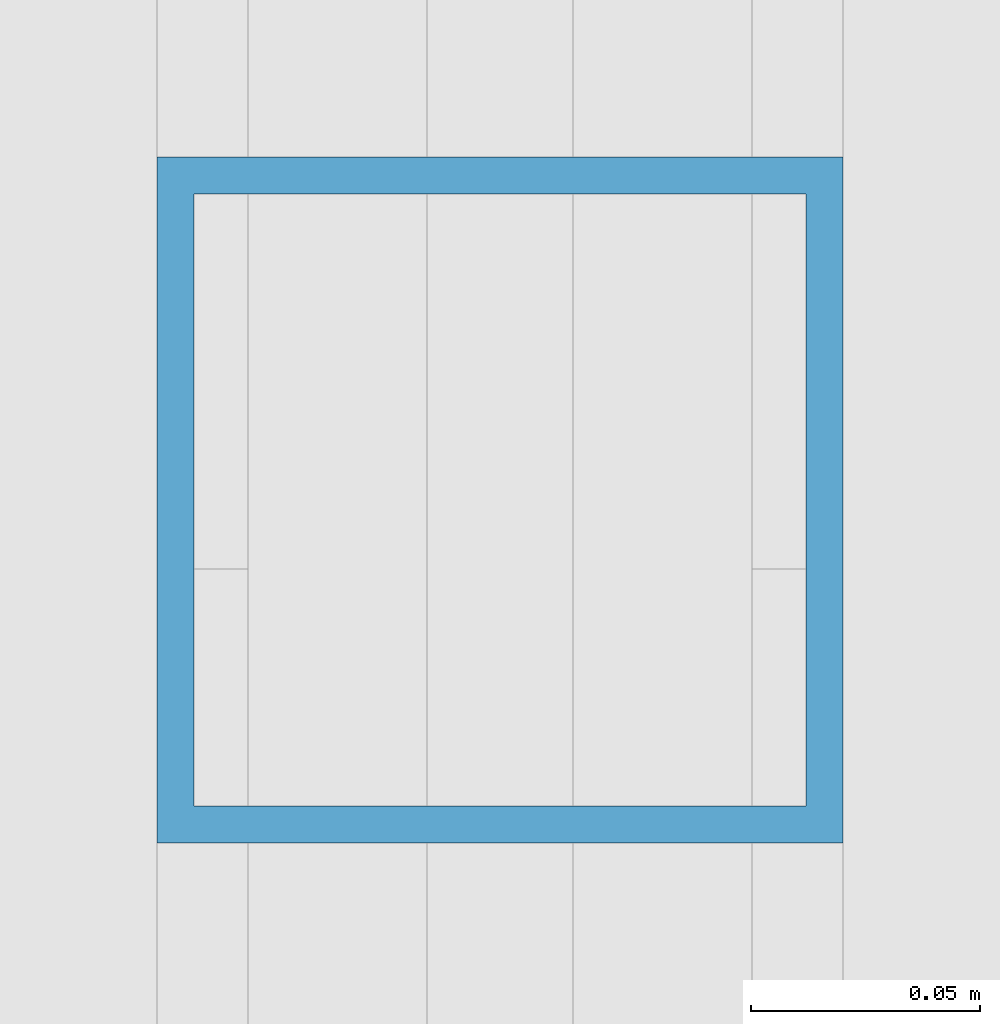
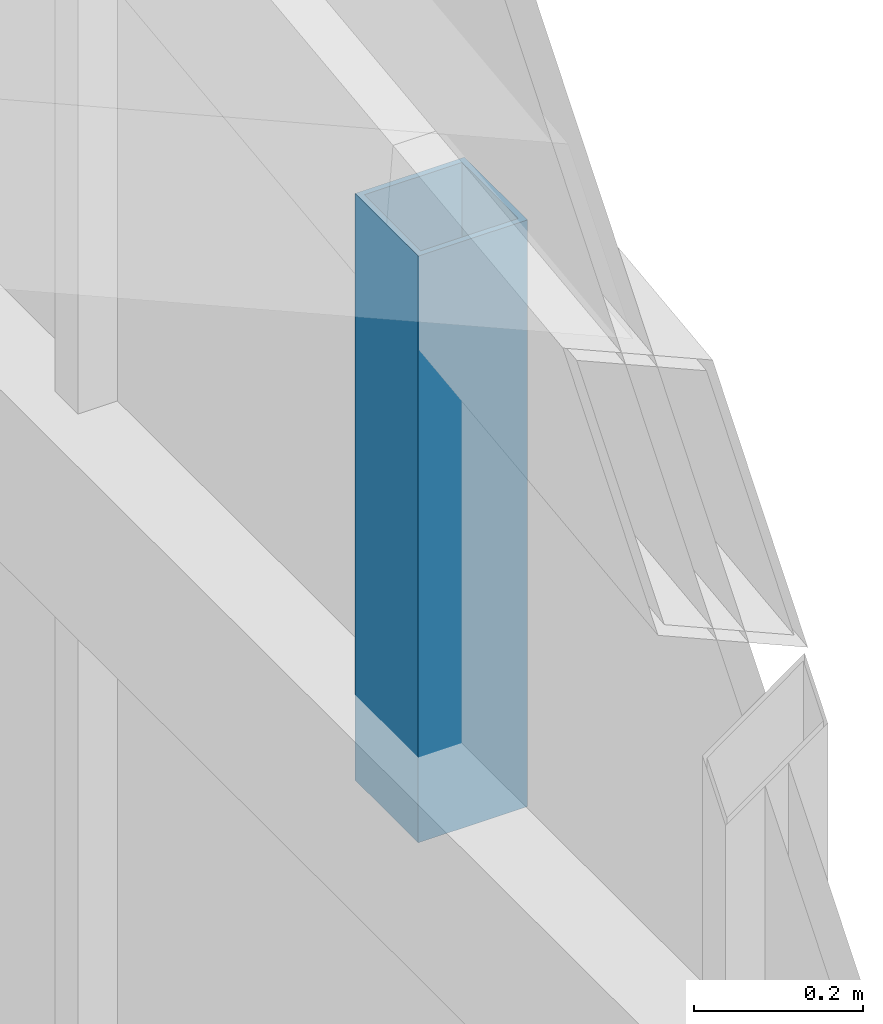
# One storey, part 83 of 104: 1 member.
"""IFC4 building model written with IfcOpenShell, lengths in metres."""

import ifcopenshell
import ifcopenshell.guid

model = None  # the IFC model being written
_history = None  # IfcOwnerHistory: only IFC2X3 demands one
_inside = {}  # id of a spatial element -> (the spatial element, [elements in it])
_under = {}  # id of a project, library or spatial element -> (it, [spatial elements below it])
_declared = {}  # id of a project -> (the project, [libraries it declares])
_typed = {}  # id of a type object -> (the type object, [elements of that type])
_made_of = {}  # id of a material, layer set ... -> (it, [elements and type objects made of it])


def new_model(schema):
    """Start an empty IFC model of exactly this schema.

    Asked for "IFC4X3", IfcOpenShell would pick the latest addendum, in which some entities
    have other attributes; the version numbers below select the first issue.
    IFC2X3 requires an IfcOwnerHistory on every rooted entity: one is made here for all.
    """
    global model, _history
    if schema == "IFC4X3":
        model = ifcopenshell.file(schema_version=(4, 3, 0, 0))
    else:
        model = ifcopenshell.file(schema=schema)
    _inside.clear()
    _under.clear()
    _declared.clear()
    _typed.clear()
    _made_of.clear()
    _history = None
    if model.schema == "IFC2X3":
        org = make("IfcOrganization", Name="unknown")
        user = make(
            "IfcPersonAndOrganization",
            ThePerson=make("IfcPerson", FamilyName="unknown"),
            TheOrganization=org,
        )
        app = make(
            "IfcApplication",
            ApplicationDeveloper=org,
            Version="unknown",
            ApplicationFullName="unknown",
            ApplicationIdentifier="unknown",
        )
        _history = make(
            "IfcOwnerHistory",
            OwningUser=user,
            OwningApplication=app,
            ChangeAction="ADDED",
            CreationDate=0,
        )
    return model


def make(cls, **values):
    """One entity of the class cls with the attributes given. An attribute that is None is left unset."""
    return model.create_entity(
        cls, **{name: value for name, value in values.items() if value is not None}
    )


def rooted(cls, **values):
    """An entity with a GlobalId (a new one), such as an element, a storey or a relation."""
    return make(cls, GlobalId=ifcopenshell.guid.new(), OwnerHistory=_history, **values)


def si_unit(unit_type, name, prefix=None):
    """IfcSIUnit, for example si_unit("LENGTHUNIT", "METRE", prefix="MILLI")."""
    return make("IfcSIUnit", UnitType=unit_type, Prefix=prefix, Name=name)


def assignment(units):
    """IfcUnitAssignment: the units of a project."""
    return None if units is None else make("IfcUnitAssignment", Units=units)


def point(xyz):
    """IfcCartesianPoint."""
    return None if xyz is None else make("IfcCartesianPoint", Coordinates=xyz)


def direction(xyz):
    """IfcDirection."""
    return None if xyz is None else make("IfcDirection", DirectionRatios=xyz)


def frame(location, z_axis=None, x_axis=None):
    """IfcAxis2Placement3D, a coordinate frame: its origin and axes. An axis left out is left unset."""
    return make(
        "IfcAxis2Placement3D",
        Location=point(location),
        Axis=direction(z_axis),
        RefDirection=direction(x_axis),
    )


def frame_2d(location, x_axis=None):
    """IfcAxis2Placement2D, a coordinate frame in the plane: its origin and x axis."""
    return make(
        "IfcAxis2Placement2D", Location=point(location), RefDirection=direction(x_axis)
    )


def origin():
    """The frame at (0, 0, 0) with its axes left unset."""
    return frame((0.0, 0.0, 0.0))


def origin_2d():
    """The frame at (0, 0) in the plane with its x axis left unset."""
    return frame_2d((0.0, 0.0))


def place(relative_to, where):
    """IfcLocalPlacement: puts the frame where relative to a parent placement (None: the world)."""
    return make(
        "IfcLocalPlacement", PlacementRelTo=relative_to, RelativePlacement=where
    )


def context(
    kind, dimensions, precision=None, world=None, true_north=None, identifier=None
):
    """IfcGeometricRepresentationContext, for example the 3D "Model" context."""
    return make(
        "IfcGeometricRepresentationContext",
        ContextIdentifier=identifier,
        ContextType=kind,
        CoordinateSpaceDimension=dimensions,
        Precision=precision,
        WorldCoordinateSystem=world,
        TrueNorth=true_north,
    )


def subcontext(parent, identifier, kind, view, scale=None):
    """IfcGeometricRepresentationSubContext, for example "Body" below "Model"."""
    return make(
        "IfcGeometricRepresentationSubContext",
        ContextIdentifier=identifier,
        ContextType=kind,
        ParentContext=parent,
        TargetScale=scale,
        TargetView=view,
    )


def project(units=None, contexts=None):
    """IfcProject with its units and contexts."""
    return rooted(
        "IfcProject",
        Name="project",
        RepresentationContexts=contexts,
        UnitsInContext=assignment(units),
    )


def spatial(cls, under=None, at=None, **own):
    """A site, building, storey or space (cls), placed at a placement, below another one or the project."""
    s = rooted(cls, ObjectPlacement=at, **own)
    if under is not None:
        _under.setdefault(under.id(), (under, []))[1].append(s)
    return s


def profile(cls, at=None, kind="AREA", **sizes):
    """A parametric profile (cls). Its sizes go by their IFC names, for example OverallWidth=200.0."""
    return make(cls, ProfileType=kind, Position=at, **sizes)


def hollow_rectangle(**sizes):
    """IfcRectangleHollowProfileDef."""
    return profile("IfcRectangleHollowProfileDef", **sizes)


def extrude(swept, where, along, depth):
    """IfcExtrudedAreaSolid: the profile swept, set in the frame where, extruded along a direction by depth."""
    return make(
        "IfcExtrudedAreaSolid",
        SweptArea=swept,
        Position=where,
        ExtrudedDirection=direction(along),
        Depth=depth,
    )


def shape(context_of_items, identifier, shape_type, items):
    """IfcShapeRepresentation: the items that make up one representation, for example the "Body"."""
    return make(
        "IfcShapeRepresentation",
        ContextOfItems=context_of_items,
        RepresentationIdentifier=identifier,
        RepresentationType=shape_type,
        Items=items,
    )


def material(Name=None, Category=None):
    """IfcMaterial."""
    return make("IfcMaterial", Name=Name, Category=Category)


def material_profile(
    of_material, cross_section, Name=None, Category=None, Priority=None
):
    """IfcMaterialProfile: a cross section and its material."""
    return make(
        "IfcMaterialProfile",
        Name=Name,
        Material=of_material,
        Profile=cross_section,
        Priority=Priority,
        Category=Category,
    )


def profile_set(profiles, Name=None, composite=None):
    """IfcMaterialProfileSet."""
    return make(
        "IfcMaterialProfileSet",
        Name=Name,
        MaterialProfiles=profiles,
        CompositeProfile=composite,
    )


def made_of(thing, what):
    """Note that an element or type object is made of a material, layer set ...; save() writes the relation."""
    if what is not None:
        _made_of.setdefault(what.id(), (what, []))[1].append(thing)
    return thing


def type_object(cls, material=None, **own):
    """A type object (cls), such as IfcWallType, which elements share."""
    return made_of(rooted(cls, **own), material)


def element(
    cls,
    number,
    at=None,
    inside=None,
    cuts=None,
    type_object=None,
    material=None,
    context=None,
    identifier="Body",
    shape_type=None,
    held_by="IfcProductDefinitionShape",
    body=None,
    shapes=None,
    **own,
):
    """One element of the class cls, such as IfcWall. Its Tag is "e" and its number.

    at: its placement. inside: the storey or other place that contains it. cuts: it is an
    opening in that element (IfcRelVoidsElement). A single representation is given by context,
    identifier, shape_type and body (its items); several are given by shapes. held_by: the class
    of the entity that holds the representations. save() writes the other relations.
    """
    e = rooted(cls, Tag="e%d" % number, ObjectPlacement=at, **own)
    if body is not None:
        shapes = [shape(context, identifier, shape_type, body)]
    if shapes is not None:
        e.Representation = make(held_by, Representations=shapes)
    if inside is not None:
        _inside.setdefault(inside.id(), (inside, []))[1].append(e)
    if cuts is not None:
        rooted(
            "IfcRelVoidsElement", RelatingBuildingElement=cuts, RelatedOpeningElement=e
        )
    if type_object is not None:
        _typed.setdefault(type_object.id(), (type_object, []))[1].append(e)
    return made_of(e, material)


def aggregate(whole, parts):
    """IfcRelAggregates: a whole, such as a stair, and the parts it consists of."""
    return rooted("IfcRelAggregates", RelatingObject=whole, RelatedObjects=parts)


def save(model, path):
    """Write the relations noted so far, then the file.

    IfcRelAggregates (storeys below a building ...), IfcRelContainedInSpatialStructure (elements
    in a storey), IfcRelDefinesByType, IfcRelAssociatesMaterial and IfcRelDeclares: one each for
    every whole, place, type object, material and project.
    """
    for whole, parts in _under.values():
        aggregate(whole, parts)
    for where, things in _inside.values():
        rooted(
            "IfcRelContainedInSpatialStructure",
            RelatedElements=things,
            RelatingStructure=where,
        )
    for kind, things in _typed.values():
        rooted("IfcRelDefinesByType", RelatedObjects=things, RelatingType=kind)
    for what, things in _made_of.values():
        rooted("IfcRelAssociatesMaterial", RelatedObjects=things, RelatingMaterial=what)
    for by, libraries in _declared.values():
        rooted("IfcRelDeclares", RelatingContext=by, RelatedDefinitions=libraries)
    model.write(path)


model = new_model("IFC4")

# Units and contexts
model_context = context("Model", 3, precision=1e-05, world=origin(), true_north=direction((0.0, 1.0)))
body_context = subcontext(model_context, "Body", "Model", "MODEL_VIEW")
ifc_project = project(units=[si_unit("LENGTHUNIT", "METRE"), si_unit("AREAUNIT", "SQUARE_METRE"), si_unit("VOLUMEUNIT", "CUBIC_METRE"), si_unit("PLANEANGLEUNIT", "RADIAN"), si_unit("MASSUNIT", "GRAM", prefix="KILO")], contexts=[model_context])

# Site, building, storey
site_placement = place(None, origin())
site = spatial("IfcSite", under=ifc_project, at=site_placement, CompositionType="ELEMENT")
building_placement = place(site_placement, origin())
building = spatial("IfcBuilding", under=site, at=building_placement, Name="Solvenia Promenade Tram Depot", CompositionType="ELEMENT")
storey_placement = place(building_placement, frame((0.0, 0.0, 9.0)))
storey = spatial("IfcBuildingStorey", under=building, at=storey_placement, Name="L02", CompositionType="ELEMENT", Elevation=9.0)

# Member
ifc_material = material(Name="Structural steel ASTM A500 Gr. C", Category="steel")
ifc_material_profile = material_profile(ifc_material, hollow_rectangle(XDim=0.14990234375, YDim=0.14990234375, WallThickness=0.008056640625, at=origin_2d()), Name="HSS150x150x8", Category="steel")
ifc_profile_set = profile_set([ifc_material_profile], Name="Structural steel ASTM A500 Gr. C")
member_type = type_object("IfcMemberType", Name="Post-HSS150x150x8", PredefinedType="POST", material=ifc_profile_set)
member_placement = place(storey_placement, frame((186.0, 59.0, 4.47998046875), z_axis=(0.0, 0.0, 1.0), x_axis=(1.0, 0.0, 0.0)))
element("IfcMember", 1, at=member_placement, inside=storey, type_object=member_type, Name="Workshop Sawtooth Mid Post 2-10", PredefinedType="POST", context=body_context, shape_type="SweptSolid", body=[
    extrude(hollow_rectangle(XDim=0.14990234375, YDim=0.14990234375, WallThickness=0.008056640625, at=origin_2d()), origin(), (0.0, 0.0, 1.0), 0.85009765625),
])

save(model, "model.ifc")
